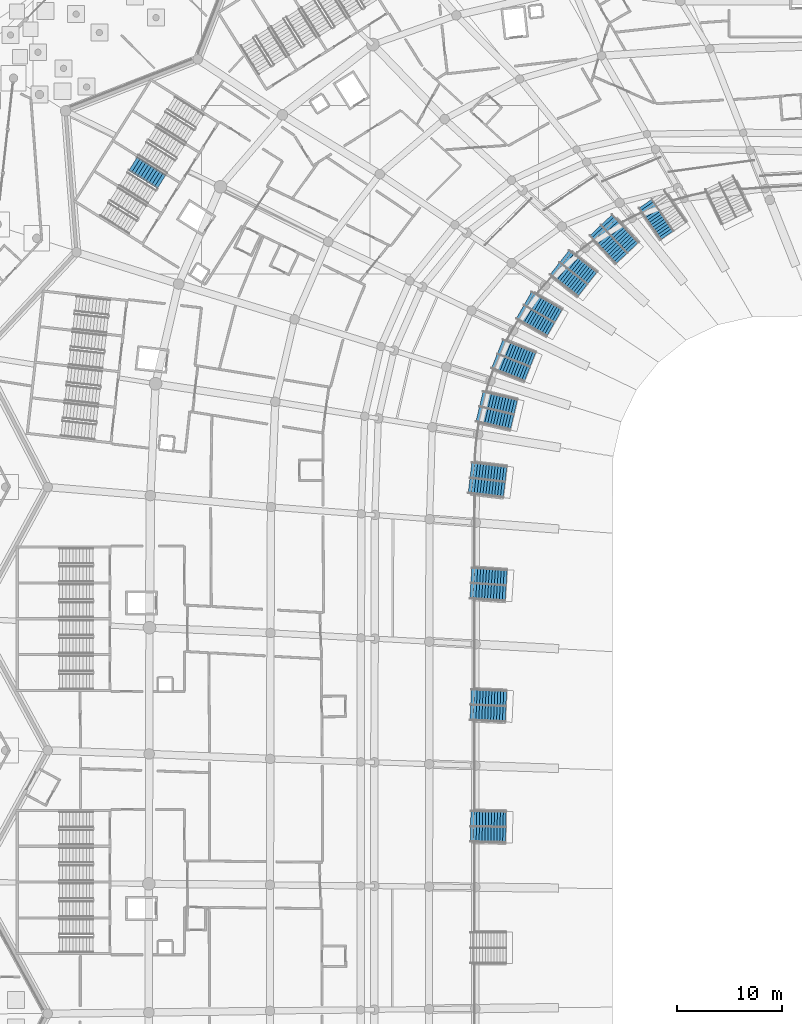
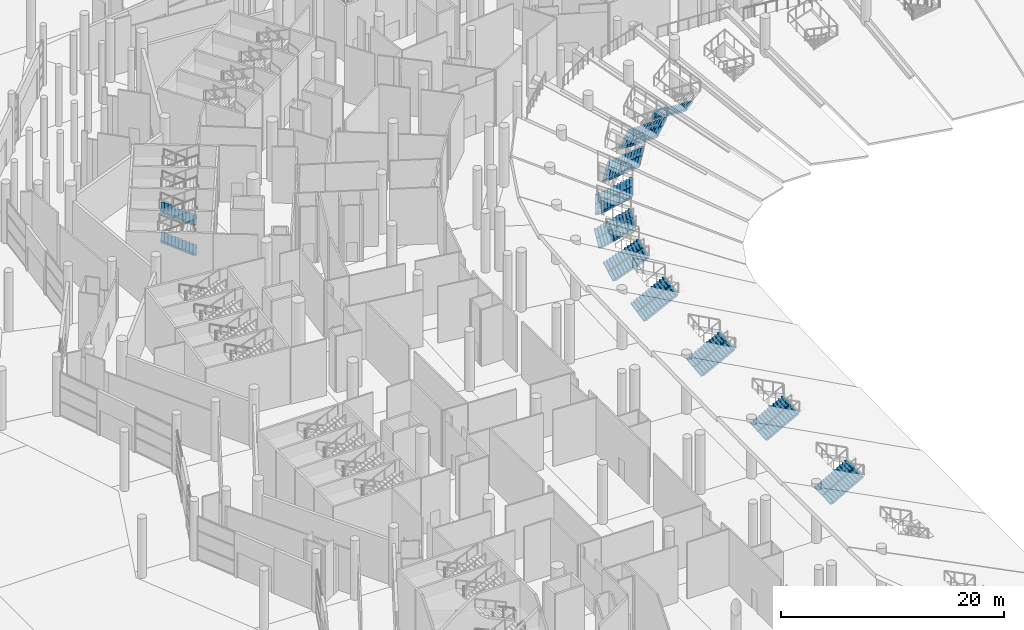
# One storey, part 173 of 255: 21 stair flights, 11 elements without a shape of their own.
"""IFC4 building model written with IfcOpenShell, lengths in metres."""

from ifc_helpers import new_model, si_unit, direction, frame, origin, place, context, subcontext, project, spatial, polyline, outline, extrude, material, type_object, element, aggregate, save


model = new_model("IFC4")

# Units and contexts
model_context = context("Model", 3, precision=1e-05, world=origin(), true_north=direction((0.0, 1.0)))
body_context = subcontext(model_context, "Body", "Model", "MODEL_VIEW")
ifc_project = project(units=[si_unit("LENGTHUNIT", "METRE"), si_unit("AREAUNIT", "SQUARE_METRE"), si_unit("VOLUMEUNIT", "CUBIC_METRE"), si_unit("PLANEANGLEUNIT", "RADIAN"), si_unit("MASSUNIT", "GRAM", prefix="KILO")], contexts=[model_context])

# Site, building, storey
site_placement = place(None, origin())
site = spatial("IfcSite", under=ifc_project, at=site_placement, CompositionType="ELEMENT")
building_placement = place(site_placement, origin())
building = spatial("IfcBuilding", under=site, at=building_placement, Name="Meseta Stadium", CompositionType="ELEMENT")
storey_placement = place(building_placement, origin())
storey = spatial("IfcBuildingStorey", under=building, at=storey_placement, Name="L00", CompositionType="ELEMENT", Elevation=0.0)

# Stair, stair flights
ifc_material_1 = material(Name="Concrete C40/50", Category="concrete")
stair_type_1 = type_object("IfcStairType", Name="Exit stair 4 flights 148 mm risers", PredefinedType="HALF_TURN_STAIR", material=ifc_material_1)
stair_1_placement = place(storey_placement, origin())
stair_1 = element("IfcStair", 1, at=stair_1_placement, inside=storey, type_object=stair_type_1, Name="ST55 L00", PredefinedType="HALF_TURN_STAIR")
ifc_material_2 = material(Name="Concrete C40/50", Category="concrete")
stair_flight_type_1 = type_object("IfcStairFlightType", Name="Exit stair flight 148 mm risers, 4 per storey", PredefinedType="STRAIGHT", material=ifc_material_2)
stair_flight_1_placement = place(storey_placement, frame((-83.792724609375, 72.742919921875, 0.0), z_axis=(0.0, 0.0, 1.0), x_axis=(-0.846724200555, 0.532032074404, 0.0)))
stair_flight_1 = element("IfcStairFlight", 2, at=stair_flight_1_placement, type_object=stair_flight_type_1, Name="ST55 L00 flight 1", NumberOfRisers=11, NumberOfTreads=10, PredefinedType="STRAIGHT", RiserHeight=0.147727273, TreadLength=0.32, context=body_context, shape_type="SweptSolid", body=[
    extrude(outline(polyline([(0.0, 0.0), (0.0, 0.147705078125), (0.320068359375, 0.147705078125), (0.320068359375, 0.29541015625), (0.639892578125, 0.29541015625), (0.639892578125, 0.443115234375), (0.9599609375, 0.443115234375), (0.9599609375, 0.5908203125), (1.280029296875, 0.5908203125), (1.280029296875, 0.738525390625), (1.60009765625, 0.738525390625), (1.60009765625, 0.886474609375), (1.919921875, 0.886474609375), (1.919921875, 1.0341796875), (2.239990234375, 1.0341796875), (2.239990234375, 1.181884765625), (2.56005859375, 1.181884765625), (2.56005859375, 1.32958984375), (2.8798828125, 1.32958984375), (2.8798828125, 1.477294921875), (3.199951171875, 1.477294921875), (3.199951171875, 1.312255859375), (0.357666015625, 0.0), (0.0, 0.0)])), frame((0.0, 0.75, 0.0), z_axis=(0.0, -1.0, 0.0), x_axis=(1.0, 0.0, 0.0)), (0.0, 0.0, 1.0), 1.5),
])
stair_flight_2_placement = place(storey_placement, frame((-83.792724609375, 72.742919921875, 3.25), z_axis=(0.0, 0.0, 1.0), x_axis=(-0.846724200555, 0.532032074404, 0.0)))
stair_flight_2 = element("IfcStairFlight", 3, at=stair_flight_2_placement, type_object=stair_flight_type_1, Name="ST55 L00 flight 3", NumberOfRisers=11, NumberOfTreads=10, PredefinedType="STRAIGHT", RiserHeight=0.147727273, TreadLength=0.32, context=body_context, shape_type="SweptSolid", body=[
    extrude(outline(polyline([(0.0, 0.0), (0.0, 0.147705078125), (0.320068359375, 0.147705078125), (0.320068359375, 0.29541015625), (0.639892578125, 0.29541015625), (0.639892578125, 0.443115234375), (0.9599609375, 0.443115234375), (0.9599609375, 0.5908203125), (1.280029296875, 0.5908203125), (1.280029296875, 0.738525390625), (1.60009765625, 0.738525390625), (1.60009765625, 0.886474609375), (1.919921875, 0.886474609375), (1.919921875, 1.0341796875), (2.239990234375, 1.0341796875), (2.239990234375, 1.181884765625), (2.56005859375, 1.181884765625), (2.56005859375, 1.32958984375), (2.8798828125, 1.32958984375), (2.8798828125, 1.477294921875), (3.199951171875, 1.477294921875), (3.199951171875, 1.312255859375), (0.357666015625, 0.0), (0.0, 0.0)])), frame((0.0, 0.75, 0.0), z_axis=(0.0, -1.0, 0.0), x_axis=(1.0, 0.0, 0.0)), (0.0, 0.0, 1.0), 1.5),
])
aggregate(stair_1, [stair_flight_1, stair_flight_2])

# Stair, stair flight
ifc_material_3 = material(Name="Concrete C40/50", Category="concrete")
stair_type_2 = type_object("IfcStairType", Name="Vomitory stair 3000", PredefinedType="STRAIGHT_RUN_STAIR", material=ifc_material_3)
stair_2_placement = place(storey_placement, origin())
stair_2 = element("IfcStair", 4, at=stair_2_placement, inside=storey, type_object=stair_type_2, Name="Vomitory V-lower-23", PredefinedType="STRAIGHT_RUN_STAIR")
ifc_material_4 = material(Name="Concrete C40/50", Category="concrete")
stair_flight_type_2 = type_object("IfcStairFlightType", Name="Vomitory stair flight 1450", PredefinedType="STRAIGHT", material=ifc_material_4)
stair_flight_3_placement = place(storey_placement, frame((-37.889892578125, 70.636474609375, 0.0), z_axis=(0.0, 0.0, 1.0), x_axis=(0.567899772853, -0.82309771473, 0.0)))
stair_flight_3 = element("IfcStairFlight", 5, at=stair_flight_3_placement, type_object=stair_flight_type_2, Name="Vomitory V-lower-23 flight 2", NumberOfRisers=14, NumberOfTreads=13, PredefinedType="STRAIGHT", RiserHeight=0.163434, TreadLength=0.28, context=body_context, shape_type="SweptSolid", body=[
    extrude(outline(polyline([(0.0, 0.0), (0.0, 0.163330078125), (0.280029296875, 0.163330078125), (0.280029296875, 0.326904296875), (0.56005859375, 0.326904296875), (0.56005859375, 0.490234375), (0.840087890625, 0.490234375), (0.840087890625, 0.65380859375), (1.1201171875, 0.65380859375), (1.1201171875, 0.817138671875), (1.39990234375, 0.817138671875), (1.39990234375, 0.980712890625), (1.679931640625, 0.980712890625), (1.679931640625, 1.14404296875), (1.9599609375, 1.14404296875), (1.9599609375, 1.307373046875), (2.239990234375, 1.307373046875), (2.239990234375, 1.470947265625), (2.52001953125, 1.470947265625), (2.52001953125, 1.63427734375), (2.800048828125, 1.63427734375), (2.800048828125, 1.7978515625), (3.080078125, 1.7978515625), (3.080078125, 1.961181640625), (3.360107421875, 1.961181640625), (3.360107421875, 2.124755859375), (3.639892578125, 2.124755859375), (3.639892578125, 1.951171875), (0.29736328125, 0.0), (0.0, 0.0)])), frame((0.0, 0.72509765625, 0.0), z_axis=(0.0, -1.0, 0.0), x_axis=(1.0, 0.0, 0.0)), (0.0, 0.0, 1.0), 1.449951171875),
])
aggregate(stair_2, [stair_flight_3])

# Stair, stair flights
stair_3_placement = place(storey_placement, origin())
stair_3 = element("IfcStair", 6, at=stair_3_placement, inside=storey, type_object=stair_type_2, Name="Vomitory V-lower-24", PredefinedType="STRAIGHT_RUN_STAIR")
stair_flight_4_placement = place(storey_placement, frame((-41.502197265625, 69.167236328125, 0.0), z_axis=(0.0, 0.0, 1.0), x_axis=(0.686064733008, -0.72754050205, 0.0)))
stair_flight_4 = element("IfcStairFlight", 7, at=stair_flight_4_placement, type_object=stair_flight_type_2, Name="Vomitory V-lower-24 flight 1", NumberOfRisers=14, NumberOfTreads=13, PredefinedType="STRAIGHT", RiserHeight=0.163499, TreadLength=0.28, context=body_context, shape_type="SweptSolid", body=[
    extrude(outline(polyline([(0.0, 0.0), (0.0, 0.16357421875), (0.280029296875, 0.16357421875), (0.280029296875, 0.326904296875), (0.56005859375, 0.326904296875), (0.56005859375, 0.490478515625), (0.840087890625, 0.490478515625), (0.840087890625, 0.654052734375), (1.1201171875, 0.654052734375), (1.1201171875, 0.8173828125), (1.39990234375, 0.8173828125), (1.39990234375, 0.98095703125), (1.679931640625, 0.98095703125), (1.679931640625, 1.14453125), (1.9599609375, 1.14453125), (1.9599609375, 1.30810546875), (2.239990234375, 1.30810546875), (2.239990234375, 1.471435546875), (2.52001953125, 1.471435546875), (2.52001953125, 1.635009765625), (2.800048828125, 1.635009765625), (2.800048828125, 1.798583984375), (3.080078125, 1.798583984375), (3.080078125, 1.9619140625), (3.360107421875, 1.9619140625), (3.360107421875, 2.12548828125), (3.639892578125, 2.12548828125), (3.639892578125, 1.951904296875), (0.29736328125, 0.0), (0.0, 0.0)])), frame((0.0, 0.72509765625, 0.0), z_axis=(0.0, -1.0, 0.0), x_axis=(1.0, 0.0, 0.0)), (0.0, 0.0, 1.0), 1.449951171875),
])
stair_flight_5_placement = place(storey_placement, frame((-42.6298828125, 68.103759765625, 0.0), z_axis=(0.0, 0.0, 1.0), x_axis=(0.686064733008, -0.72754050205, 0.0)))
stair_flight_5 = element("IfcStairFlight", 8, at=stair_flight_5_placement, type_object=stair_flight_type_2, Name="Vomitory V-lower-24 flight 2", NumberOfRisers=14, NumberOfTreads=13, PredefinedType="STRAIGHT", RiserHeight=0.163499, TreadLength=0.28, context=body_context, shape_type="SweptSolid", body=[
    extrude(outline(polyline([(0.0, 0.0), (0.0, 0.16357421875), (0.280029296875, 0.16357421875), (0.280029296875, 0.326904296875), (0.56005859375, 0.326904296875), (0.56005859375, 0.490478515625), (0.840087890625, 0.490478515625), (0.840087890625, 0.654052734375), (1.1201171875, 0.654052734375), (1.1201171875, 0.8173828125), (1.39990234375, 0.8173828125), (1.39990234375, 0.98095703125), (1.679931640625, 0.98095703125), (1.679931640625, 1.14453125), (1.9599609375, 1.14453125), (1.9599609375, 1.30810546875), (2.239990234375, 1.30810546875), (2.239990234375, 1.471435546875), (2.52001953125, 1.471435546875), (2.52001953125, 1.635009765625), (2.800048828125, 1.635009765625), (2.800048828125, 1.798583984375), (3.080078125, 1.798583984375), (3.080078125, 1.9619140625), (3.360107421875, 1.9619140625), (3.360107421875, 2.12548828125), (3.639892578125, 2.12548828125), (3.639892578125, 1.951904296875), (0.29736328125, 0.0), (0.0, 0.0)])), frame((0.0, 0.72509765625, 0.0), z_axis=(0.0, -1.0, 0.0), x_axis=(1.0, 0.0, 0.0)), (0.0, 0.0, 1.0), 1.449951171875),
])
aggregate(stair_3, [stair_flight_4, stair_flight_5])

stair_4_placement = place(storey_placement, origin())
stair_4 = element("IfcStair", 9, at=stair_4_placement, inside=storey, type_object=stair_type_2, Name="Vomitory V-lower-25", PredefinedType="STRAIGHT_RUN_STAIR")
stair_flight_6_placement = place(storey_placement, frame((-45.523193359375, 65.698486328125, 0.0), z_axis=(0.0, 0.0, 1.0), x_axis=(0.786141751877, -0.618046232862, 0.0)))
stair_flight_6 = element("IfcStairFlight", 10, at=stair_flight_6_placement, type_object=stair_flight_type_2, Name="Vomitory V-lower-25 flight 1", NumberOfRisers=13, NumberOfTreads=12, PredefinedType="STRAIGHT", RiserHeight=0.172209, TreadLength=0.28, context=body_context, shape_type="SweptSolid", body=[
    extrude(outline(polyline([(0.0, 0.0), (0.0, 0.172119140625), (0.280029296875, 0.172119140625), (0.280029296875, 0.344482421875), (0.56005859375, 0.344482421875), (0.56005859375, 0.5166015625), (0.840087890625, 0.5166015625), (0.840087890625, 0.688720703125), (1.1201171875, 0.688720703125), (1.1201171875, 0.861083984375), (1.39990234375, 0.861083984375), (1.39990234375, 1.033203125), (1.679931640625, 1.033203125), (1.679931640625, 1.20556640625), (1.9599609375, 1.20556640625), (1.9599609375, 1.377685546875), (2.239990234375, 1.377685546875), (2.239990234375, 1.5498046875), (2.52001953125, 1.5498046875), (2.52001953125, 1.72216796875), (2.800048828125, 1.72216796875), (2.800048828125, 1.894287109375), (3.080078125, 1.894287109375), (3.080078125, 2.06640625), (3.360107421875, 2.06640625), (3.360107421875, 1.890625), (0.2861328125, 0.0), (0.0, 0.0)])), frame((0.0, 0.72509765625, 0.0), z_axis=(0.0, -1.0, 0.0), x_axis=(1.0, 0.0, 0.0)), (0.0, 0.0, 1.0), 1.449951171875),
])
stair_flight_7_placement = place(storey_placement, frame((-46.481201171875, 64.47998046875, 0.0), z_axis=(0.0, 0.0, 1.0), x_axis=(0.786141751877, -0.618046232862, 0.0)))
stair_flight_7 = element("IfcStairFlight", 11, at=stair_flight_7_placement, type_object=stair_flight_type_2, Name="Vomitory V-lower-25 flight 2", NumberOfRisers=13, NumberOfTreads=12, PredefinedType="STRAIGHT", RiserHeight=0.172209, TreadLength=0.28, context=body_context, shape_type="SweptSolid", body=[
    extrude(outline(polyline([(0.0, 0.0), (0.0, 0.172119140625), (0.280029296875, 0.172119140625), (0.280029296875, 0.344482421875), (0.56005859375, 0.344482421875), (0.56005859375, 0.5166015625), (0.840087890625, 0.5166015625), (0.840087890625, 0.688720703125), (1.1201171875, 0.688720703125), (1.1201171875, 0.861083984375), (1.39990234375, 0.861083984375), (1.39990234375, 1.033203125), (1.679931640625, 1.033203125), (1.679931640625, 1.20556640625), (1.9599609375, 1.20556640625), (1.9599609375, 1.377685546875), (2.239990234375, 1.377685546875), (2.239990234375, 1.5498046875), (2.52001953125, 1.5498046875), (2.52001953125, 1.72216796875), (2.800048828125, 1.72216796875), (2.800048828125, 1.894287109375), (3.080078125, 1.894287109375), (3.080078125, 2.06640625), (3.360107421875, 2.06640625), (3.360107421875, 1.890625), (0.2861328125, 0.0), (0.0, 0.0)])), frame((0.0, 0.72509765625, 0.0), z_axis=(0.0, -1.0, 0.0), x_axis=(1.0, 0.0, 0.0)), (0.0, 0.0, 1.0), 1.449951171875),
])
aggregate(stair_4, [stair_flight_6, stair_flight_7])

stair_5_placement = place(storey_placement, origin())
stair_5 = element("IfcStair", 12, at=stair_5_placement, inside=storey, type_object=stair_type_2, Name="Vomitory V-lower-26", PredefinedType="STRAIGHT_RUN_STAIR")
stair_flight_8_placement = place(storey_placement, frame((-49.007080078125, 61.699951171875, 0.0), z_axis=(0.0, 0.0, 1.0), x_axis=(0.867711670531, -0.497067859376, 0.0)))
stair_flight_8 = element("IfcStairFlight", 13, at=stair_flight_8_placement, type_object=stair_flight_type_2, Name="Vomitory V-lower-26 flight 1", NumberOfRisers=13, NumberOfTreads=12, PredefinedType="STRAIGHT", RiserHeight=0.168326, TreadLength=0.28, context=body_context, shape_type="SweptSolid", body=[
    extrude(outline(polyline([(0.0, 0.0), (0.0, 0.168212890625), (0.280029296875, 0.168212890625), (0.280029296875, 0.336669921875), (0.56005859375, 0.336669921875), (0.56005859375, 0.5048828125), (0.840087890625, 0.5048828125), (0.840087890625, 0.67333984375), (1.1201171875, 0.67333984375), (1.1201171875, 0.841552734375), (1.39990234375, 0.841552734375), (1.39990234375, 1.010009765625), (1.679931640625, 1.010009765625), (1.679931640625, 1.17822265625), (1.9599609375, 1.17822265625), (1.9599609375, 1.3466796875), (2.239990234375, 1.3466796875), (2.239990234375, 1.514892578125), (2.52001953125, 1.514892578125), (2.52001953125, 1.683349609375), (2.800048828125, 1.683349609375), (2.800048828125, 1.8515625), (3.080078125, 1.8515625), (3.080078125, 2.02001953125), (3.360107421875, 2.02001953125), (3.360107421875, 1.844970703125), (0.291015625, 0.0), (0.0, 0.0)])), frame((0.0, 0.72509765625, 0.0), z_axis=(0.0, -1.0, 0.0), x_axis=(1.0, 0.0, 0.0)), (0.0, 0.0, 1.0), 1.449951171875),
])
stair_flight_9_placement = place(storey_placement, frame((-49.777587890625, 60.35498046875, 0.0), z_axis=(0.0, 0.0, 1.0), x_axis=(0.867711670531, -0.497067859376, 0.0)))
stair_flight_9 = element("IfcStairFlight", 14, at=stair_flight_9_placement, type_object=stair_flight_type_2, Name="Vomitory V-lower-26 flight 2", NumberOfRisers=13, NumberOfTreads=12, PredefinedType="STRAIGHT", RiserHeight=0.168326, TreadLength=0.28, context=body_context, shape_type="SweptSolid", body=[
    extrude(outline(polyline([(0.0, 0.0), (0.0, 0.168212890625), (0.280029296875, 0.168212890625), (0.280029296875, 0.336669921875), (0.56005859375, 0.336669921875), (0.56005859375, 0.5048828125), (0.840087890625, 0.5048828125), (0.840087890625, 0.67333984375), (1.1201171875, 0.67333984375), (1.1201171875, 0.841552734375), (1.39990234375, 0.841552734375), (1.39990234375, 1.010009765625), (1.679931640625, 1.010009765625), (1.679931640625, 1.17822265625), (1.9599609375, 1.17822265625), (1.9599609375, 1.3466796875), (2.239990234375, 1.3466796875), (2.239990234375, 1.514892578125), (2.52001953125, 1.514892578125), (2.52001953125, 1.683349609375), (2.800048828125, 1.683349609375), (2.800048828125, 1.8515625), (3.080078125, 1.8515625), (3.080078125, 2.02001953125), (3.360107421875, 2.02001953125), (3.360107421875, 1.844970703125), (0.291015625, 0.0), (0.0, 0.0)])), frame((0.0, 0.72509765625, 0.0), z_axis=(0.0, -1.0, 0.0), x_axis=(1.0, 0.0, 0.0)), (0.0, 0.0, 1.0), 1.449951171875),
])
aggregate(stair_5, [stair_flight_8, stair_flight_9])

stair_6_placement = place(storey_placement, origin())
stair_6 = element("IfcStair", 15, at=stair_6_placement, inside=storey, type_object=stair_type_2, Name="Vomitory V-lower-27", PredefinedType="STRAIGHT_RUN_STAIR")
stair_flight_10_placement = place(storey_placement, frame((-51.640625, 57.12060546875, 0.0), z_axis=(0.0, 0.0, 1.0), x_axis=(0.930263326339, -0.366892550576, 0.0)))
stair_flight_10 = element("IfcStairFlight", 16, at=stair_flight_10_placement, type_object=stair_flight_type_2, Name="Vomitory V-lower-27 flight 1", NumberOfRisers=13, NumberOfTreads=12, PredefinedType="STRAIGHT", RiserHeight=0.164429, TreadLength=0.28, context=body_context, shape_type="SweptSolid", body=[
    extrude(outline(polyline([(0.0, 0.0), (0.0, 0.16455078125), (0.280029296875, 0.16455078125), (0.280029296875, 0.328857421875), (0.56005859375, 0.328857421875), (0.56005859375, 0.493408203125), (0.840087890625, 0.493408203125), (0.840087890625, 0.65771484375), (1.1201171875, 0.65771484375), (1.1201171875, 0.822265625), (1.39990234375, 0.822265625), (1.39990234375, 0.986572265625), (1.679931640625, 0.986572265625), (1.679931640625, 1.151123046875), (1.9599609375, 1.151123046875), (1.9599609375, 1.3154296875), (2.239990234375, 1.3154296875), (2.239990234375, 1.47998046875), (2.52001953125, 1.47998046875), (2.52001953125, 1.644287109375), (2.800048828125, 1.644287109375), (2.800048828125, 1.808837890625), (3.080078125, 1.808837890625), (3.080078125, 1.97314453125), (3.360107421875, 1.97314453125), (3.360107421875, 1.79931640625), (0.296142578125, 0.0), (0.0, 0.0)])), frame((0.0, 0.72509765625, 0.0), z_axis=(0.0, -1.0, 0.0), x_axis=(1.0, 0.0, 0.0)), (0.0, 0.0, 1.0), 1.449951171875),
])
stair_flight_11_placement = place(storey_placement, frame((-52.209228515625, 55.6787109375, 0.0), z_axis=(0.0, 0.0, 1.0), x_axis=(0.930263326339, -0.366892550576, 0.0)))
stair_flight_11 = element("IfcStairFlight", 17, at=stair_flight_11_placement, type_object=stair_flight_type_2, Name="Vomitory V-lower-27 flight 2", NumberOfRisers=13, NumberOfTreads=12, PredefinedType="STRAIGHT", RiserHeight=0.164429, TreadLength=0.28, context=body_context, shape_type="SweptSolid", body=[
    extrude(outline(polyline([(0.0, 0.0), (0.0, 0.16455078125), (0.280029296875, 0.16455078125), (0.280029296875, 0.328857421875), (0.56005859375, 0.328857421875), (0.56005859375, 0.493408203125), (0.840087890625, 0.493408203125), (0.840087890625, 0.65771484375), (1.1201171875, 0.65771484375), (1.1201171875, 0.822265625), (1.39990234375, 0.822265625), (1.39990234375, 0.986572265625), (1.679931640625, 0.986572265625), (1.679931640625, 1.151123046875), (1.9599609375, 1.151123046875), (1.9599609375, 1.3154296875), (2.239990234375, 1.3154296875), (2.239990234375, 1.47998046875), (2.52001953125, 1.47998046875), (2.52001953125, 1.644287109375), (2.800048828125, 1.644287109375), (2.800048828125, 1.808837890625), (3.080078125, 1.808837890625), (3.080078125, 1.97314453125), (3.360107421875, 1.97314453125), (3.360107421875, 1.79931640625), (0.296142578125, 0.0), (0.0, 0.0)])), frame((0.0, 0.72509765625, 0.0), z_axis=(0.0, -1.0, 0.0), x_axis=(1.0, 0.0, 0.0)), (0.0, 0.0, 1.0), 1.449951171875),
])
aggregate(stair_6, [stair_flight_10, stair_flight_11])

stair_7_placement = place(storey_placement, origin())
stair_7 = element("IfcStair", 18, at=stair_7_placement, inside=storey, type_object=stair_type_2, Name="Vomitory V-lower-28", PredefinedType="STRAIGHT_RUN_STAIR")
stair_flight_12_placement = place(storey_placement, frame((-53.428466796875, 52.15673828125, 0.0), z_axis=(0.0, 0.0, 1.0), x_axis=(0.973256309483, -0.229721910255, 0.0)))
stair_flight_12 = element("IfcStairFlight", 19, at=stair_flight_12_placement, type_object=stair_flight_type_2, Name="Vomitory V-lower-28 flight 1", NumberOfRisers=13, NumberOfTreads=12, PredefinedType="STRAIGHT", RiserHeight=0.164433, TreadLength=0.28, context=body_context, shape_type="SweptSolid", body=[
    extrude(outline(polyline([(0.0, 0.0), (0.0, 0.16455078125), (0.280029296875, 0.16455078125), (0.280029296875, 0.328857421875), (0.56005859375, 0.328857421875), (0.56005859375, 0.493408203125), (0.840087890625, 0.493408203125), (0.840087890625, 0.65771484375), (1.1201171875, 0.65771484375), (1.1201171875, 0.822265625), (1.39990234375, 0.822265625), (1.39990234375, 0.986572265625), (1.679931640625, 0.986572265625), (1.679931640625, 1.151123046875), (1.9599609375, 1.151123046875), (1.9599609375, 1.3154296875), (2.239990234375, 1.3154296875), (2.239990234375, 1.47998046875), (2.52001953125, 1.47998046875), (2.52001953125, 1.644287109375), (2.800048828125, 1.644287109375), (2.800048828125, 1.808837890625), (3.080078125, 1.808837890625), (3.080078125, 1.97314453125), (3.360107421875, 1.97314453125), (3.360107421875, 1.79931640625), (0.2958984375, 0.0), (0.0, 0.0)])), frame((0.0, 0.72509765625, 0.0), z_axis=(0.0, -1.0, 0.0), x_axis=(1.0, 0.0, 0.0)), (0.0, 0.0, 1.0), 1.449951171875),
])
stair_flight_13_placement = place(storey_placement, frame((-53.78466796875, 50.648193359375, 0.0), z_axis=(0.0, 0.0, 1.0), x_axis=(0.973256309483, -0.229721910255, 0.0)))
stair_flight_13 = element("IfcStairFlight", 20, at=stair_flight_13_placement, type_object=stair_flight_type_2, Name="Vomitory V-lower-28 flight 2", NumberOfRisers=13, NumberOfTreads=12, PredefinedType="STRAIGHT", RiserHeight=0.164433, TreadLength=0.28, context=body_context, shape_type="SweptSolid", body=[
    extrude(outline(polyline([(0.0, 0.0), (0.0, 0.16455078125), (0.280029296875, 0.16455078125), (0.280029296875, 0.328857421875), (0.56005859375, 0.328857421875), (0.56005859375, 0.493408203125), (0.840087890625, 0.493408203125), (0.840087890625, 0.65771484375), (1.1201171875, 0.65771484375), (1.1201171875, 0.822265625), (1.39990234375, 0.822265625), (1.39990234375, 0.986572265625), (1.679931640625, 0.986572265625), (1.679931640625, 1.151123046875), (1.9599609375, 1.151123046875), (1.9599609375, 1.3154296875), (2.239990234375, 1.3154296875), (2.239990234375, 1.47998046875), (2.52001953125, 1.47998046875), (2.52001953125, 1.644287109375), (2.800048828125, 1.644287109375), (2.800048828125, 1.808837890625), (3.080078125, 1.808837890625), (3.080078125, 1.97314453125), (3.360107421875, 1.97314453125), (3.360107421875, 1.79931640625), (0.2958984375, 0.0), (0.0, 0.0)])), frame((0.0, 0.72509765625, 0.0), z_axis=(0.0, -1.0, 0.0), x_axis=(1.0, 0.0, 0.0)), (0.0, 0.0, 1.0), 1.449951171875),
])
aggregate(stair_7, [stair_flight_12, stair_flight_13])

stair_8_placement = place(storey_placement, origin())
stair_8 = element("IfcStair", 21, at=stair_8_placement, inside=storey, type_object=stair_type_2, Name="Vomitory V-lower-29", PredefinedType="STRAIGHT_RUN_STAIR")
stair_flight_14_placement = place(storey_placement, frame((-54.417236328125, 45.40625, 0.0), z_axis=(0.0, 0.0, 1.0), x_axis=(0.993015017931, -0.117988025512, 0.0)))
stair_flight_14 = element("IfcStairFlight", 22, at=stair_flight_14_placement, type_object=stair_flight_type_2, Name="Vomitory V-lower-29 flight 1", NumberOfRisers=13, NumberOfTreads=12, PredefinedType="STRAIGHT", RiserHeight=0.172959, TreadLength=0.28, context=body_context, shape_type="SweptSolid", body=[
    extrude(outline(polyline([(0.0, 0.0), (0.0, 0.1728515625), (0.280029296875, 0.1728515625), (0.280029296875, 0.345947265625), (0.56005859375, 0.345947265625), (0.56005859375, 0.518798828125), (0.840087890625, 0.518798828125), (0.840087890625, 0.69189453125), (1.1201171875, 0.69189453125), (1.1201171875, 0.86474609375), (1.39990234375, 0.86474609375), (1.39990234375, 1.037841796875), (1.679931640625, 1.037841796875), (1.679931640625, 1.210693359375), (1.9599609375, 1.210693359375), (1.9599609375, 1.3837890625), (2.239990234375, 1.3837890625), (2.239990234375, 1.556640625), (2.52001953125, 1.556640625), (2.52001953125, 1.7294921875), (2.800048828125, 1.7294921875), (2.800048828125, 1.902587890625), (3.080078125, 1.902587890625), (3.080078125, 2.075439453125), (3.360107421875, 2.075439453125), (3.360107421875, 1.8994140625), (0.28515625, 0.0), (0.0, 0.0)])), frame((0.0, 0.72509765625, 0.0), z_axis=(0.0, -1.0, 0.0), x_axis=(1.0, 0.0, 0.0)), (0.0, 0.0, 1.0), 1.449951171875),
])
stair_flight_15_placement = place(storey_placement, frame((-54.60009765625, 43.8671875, 0.0), z_axis=(0.0, 0.0, 1.0), x_axis=(0.993015017931, -0.117988025512, 0.0)))
stair_flight_15 = element("IfcStairFlight", 23, at=stair_flight_15_placement, type_object=stair_flight_type_2, Name="Vomitory V-lower-29 flight 2", NumberOfRisers=13, NumberOfTreads=12, PredefinedType="STRAIGHT", RiserHeight=0.172959, TreadLength=0.28, context=body_context, shape_type="SweptSolid", body=[
    extrude(outline(polyline([(0.0, 0.0), (0.0, 0.1728515625), (0.280029296875, 0.1728515625), (0.280029296875, 0.345947265625), (0.56005859375, 0.345947265625), (0.56005859375, 0.518798828125), (0.840087890625, 0.518798828125), (0.840087890625, 0.69189453125), (1.1201171875, 0.69189453125), (1.1201171875, 0.86474609375), (1.39990234375, 0.86474609375), (1.39990234375, 1.037841796875), (1.679931640625, 1.037841796875), (1.679931640625, 1.210693359375), (1.9599609375, 1.210693359375), (1.9599609375, 1.3837890625), (2.239990234375, 1.3837890625), (2.239990234375, 1.556640625), (2.52001953125, 1.556640625), (2.52001953125, 1.7294921875), (2.800048828125, 1.7294921875), (2.800048828125, 1.902587890625), (3.080078125, 1.902587890625), (3.080078125, 2.075439453125), (3.360107421875, 2.075439453125), (3.360107421875, 1.8994140625), (0.28515625, 0.0), (0.0, 0.0)])), frame((0.0, 0.72509765625, 0.0), z_axis=(0.0, -1.0, 0.0), x_axis=(1.0, 0.0, 0.0)), (0.0, 0.0, 1.0), 1.449951171875),
])
aggregate(stair_8, [stair_flight_14, stair_flight_15])

stair_9_placement = place(storey_placement, origin())
stair_9 = element("IfcStair", 24, at=stair_9_placement, inside=storey, type_object=stair_type_2, Name="Vomitory V-lower-30", PredefinedType="STRAIGHT_RUN_STAIR")
stair_flight_16_placement = place(storey_placement, frame((-54.37939453125, 35.40673828125, 0.0), z_axis=(0.0, 0.0, 1.0), x_axis=(0.997842912451, -0.065646950207, 0.0)))
stair_flight_16 = element("IfcStairFlight", 25, at=stair_flight_16_placement, type_object=stair_flight_type_2, Name="Vomitory V-lower-30 flight 1", NumberOfRisers=13, NumberOfTreads=12, PredefinedType="STRAIGHT", RiserHeight=0.165438, TreadLength=0.28, context=body_context, shape_type="SweptSolid", body=[
    extrude(outline(polyline([(0.0, 0.0), (0.0, 0.16552734375), (0.280029296875, 0.16552734375), (0.280029296875, 0.330810546875), (0.56005859375, 0.330810546875), (0.56005859375, 0.496337890625), (0.840087890625, 0.496337890625), (0.840087890625, 0.661865234375), (1.1201171875, 0.661865234375), (1.1201171875, 0.8271484375), (1.39990234375, 0.8271484375), (1.39990234375, 0.99267578125), (1.679931640625, 0.99267578125), (1.679931640625, 1.157958984375), (1.9599609375, 1.157958984375), (1.9599609375, 1.323486328125), (2.239990234375, 1.323486328125), (2.239990234375, 1.489013671875), (2.52001953125, 1.489013671875), (2.52001953125, 1.654296875), (2.800048828125, 1.654296875), (2.800048828125, 1.81982421875), (3.080078125, 1.81982421875), (3.080078125, 1.9853515625), (3.360107421875, 1.9853515625), (3.360107421875, 1.81103515625), (0.294677734375, 0.0), (0.0, 0.0)])), frame((0.0, 0.72509765625, 0.0), z_axis=(0.0, -1.0, 0.0), x_axis=(1.0, 0.0, 0.0)), (0.0, 0.0, 1.0), 1.449951171875),
])
stair_flight_17_placement = place(storey_placement, frame((-54.481201171875, 33.860107421875, 0.0), z_axis=(0.0, 0.0, 1.0), x_axis=(0.997842912451, -0.065646950207, 0.0)))
stair_flight_17 = element("IfcStairFlight", 26, at=stair_flight_17_placement, type_object=stair_flight_type_2, Name="Vomitory V-lower-30 flight 2", NumberOfRisers=13, NumberOfTreads=12, PredefinedType="STRAIGHT", RiserHeight=0.165438, TreadLength=0.28, context=body_context, shape_type="SweptSolid", body=[
    extrude(outline(polyline([(0.0, 0.0), (0.0, 0.16552734375), (0.280029296875, 0.16552734375), (0.280029296875, 0.330810546875), (0.56005859375, 0.330810546875), (0.56005859375, 0.496337890625), (0.840087890625, 0.496337890625), (0.840087890625, 0.661865234375), (1.1201171875, 0.661865234375), (1.1201171875, 0.8271484375), (1.39990234375, 0.8271484375), (1.39990234375, 0.99267578125), (1.679931640625, 0.99267578125), (1.679931640625, 1.157958984375), (1.9599609375, 1.157958984375), (1.9599609375, 1.323486328125), (2.239990234375, 1.323486328125), (2.239990234375, 1.489013671875), (2.52001953125, 1.489013671875), (2.52001953125, 1.654296875), (2.800048828125, 1.654296875), (2.800048828125, 1.81982421875), (3.080078125, 1.81982421875), (3.080078125, 1.9853515625), (3.360107421875, 1.9853515625), (3.360107421875, 1.81103515625), (0.294677734375, 0.0), (0.0, 0.0)])), frame((0.0, 0.72509765625, 0.0), z_axis=(0.0, -1.0, 0.0), x_axis=(1.0, 0.0, 0.0)), (0.0, 0.0, 1.0), 1.449951171875),
])
aggregate(stair_9, [stair_flight_16, stair_flight_17])

stair_10_placement = place(storey_placement, origin())
stair_10 = element("IfcStair", 27, at=stair_10_placement, inside=storey, type_object=stair_type_2, Name="Vomitory V-lower-31", PredefinedType="STRAIGHT_RUN_STAIR")
stair_flight_18_placement = place(storey_placement, frame((-54.41259765625, 23.864013671875, 0.0), z_axis=(0.0, 0.0, 1.0), x_axis=(0.999039522965, -0.043818164662, 0.0)))
stair_flight_18 = element("IfcStairFlight", 28, at=stair_flight_18_placement, type_object=stair_flight_type_2, Name="Vomitory V-lower-31 flight 1", NumberOfRisers=13, NumberOfTreads=12, PredefinedType="STRAIGHT", RiserHeight=0.165438, TreadLength=0.28, context=body_context, shape_type="SweptSolid", body=[
    extrude(outline(polyline([(0.0, 0.0), (0.0, 0.16552734375), (0.280029296875, 0.16552734375), (0.280029296875, 0.330810546875), (0.56005859375, 0.330810546875), (0.56005859375, 0.496337890625), (0.840087890625, 0.496337890625), (0.840087890625, 0.661865234375), (1.1201171875, 0.661865234375), (1.1201171875, 0.8271484375), (1.39990234375, 0.8271484375), (1.39990234375, 0.99267578125), (1.679931640625, 0.99267578125), (1.679931640625, 1.157958984375), (1.9599609375, 1.157958984375), (1.9599609375, 1.323486328125), (2.239990234375, 1.323486328125), (2.239990234375, 1.489013671875), (2.52001953125, 1.489013671875), (2.52001953125, 1.654296875), (2.800048828125, 1.654296875), (2.800048828125, 1.81982421875), (3.080078125, 1.81982421875), (3.080078125, 1.9853515625), (3.360107421875, 1.9853515625), (3.360107421875, 1.81103515625), (0.294677734375, 0.0), (0.0, 0.0)])), frame((0.0, 0.72509765625, 0.0), z_axis=(0.0, -1.0, 0.0), x_axis=(1.0, 0.0, 0.0)), (0.0, 0.0, 1.0), 1.449951171875),
])
stair_flight_19_placement = place(storey_placement, frame((-54.48046875, 22.3154296875, 0.0), z_axis=(0.0, 0.0, 1.0), x_axis=(0.999039522965, -0.043818164662, 0.0)))
stair_flight_19 = element("IfcStairFlight", 29, at=stair_flight_19_placement, type_object=stair_flight_type_2, Name="Vomitory V-lower-31 flight 2", NumberOfRisers=13, NumberOfTreads=12, PredefinedType="STRAIGHT", RiserHeight=0.165438, TreadLength=0.28, context=body_context, shape_type="SweptSolid", body=[
    extrude(outline(polyline([(0.0, 0.0), (0.0, 0.16552734375), (0.280029296875, 0.16552734375), (0.280029296875, 0.330810546875), (0.56005859375, 0.330810546875), (0.56005859375, 0.496337890625), (0.840087890625, 0.496337890625), (0.840087890625, 0.661865234375), (1.1201171875, 0.661865234375), (1.1201171875, 0.8271484375), (1.39990234375, 0.8271484375), (1.39990234375, 0.99267578125), (1.679931640625, 0.99267578125), (1.679931640625, 1.157958984375), (1.9599609375, 1.157958984375), (1.9599609375, 1.323486328125), (2.239990234375, 1.323486328125), (2.239990234375, 1.489013671875), (2.52001953125, 1.489013671875), (2.52001953125, 1.654296875), (2.800048828125, 1.654296875), (2.800048828125, 1.81982421875), (3.080078125, 1.81982421875), (3.080078125, 1.9853515625), (3.360107421875, 1.9853515625), (3.360107421875, 1.81103515625), (0.294677734375, 0.0), (0.0, 0.0)])), frame((0.0, 0.72509765625, 0.0), z_axis=(0.0, -1.0, 0.0), x_axis=(1.0, 0.0, 0.0)), (0.0, 0.0, 1.0), 1.449951171875),
])
aggregate(stair_10, [stair_flight_18, stair_flight_19])

stair_11_placement = place(storey_placement, origin())
stair_11 = element("IfcStair", 30, at=stair_11_placement, inside=storey, type_object=stair_type_2, Name="Vomitory V-lower-32", PredefinedType="STRAIGHT_RUN_STAIR")
stair_flight_20_placement = place(storey_placement, frame((-54.439208984375, 12.31982421875, 0.0), z_axis=(0.0, 0.0, 1.0), x_axis=(0.999759622364, -0.021924814479, 0.0)))
stair_flight_20 = element("IfcStairFlight", 31, at=stair_flight_20_placement, type_object=stair_flight_type_2, Name="Vomitory V-lower-32 flight 1", NumberOfRisers=13, NumberOfTreads=12, PredefinedType="STRAIGHT", RiserHeight=0.165438, TreadLength=0.28, context=body_context, shape_type="SweptSolid", body=[
    extrude(outline(polyline([(0.0, 0.0), (0.0, 0.16552734375), (0.280029296875, 0.16552734375), (0.280029296875, 0.330810546875), (0.56005859375, 0.330810546875), (0.56005859375, 0.496337890625), (0.840087890625, 0.496337890625), (0.840087890625, 0.661865234375), (1.1201171875, 0.661865234375), (1.1201171875, 0.8271484375), (1.39990234375, 0.8271484375), (1.39990234375, 0.99267578125), (1.679931640625, 0.99267578125), (1.679931640625, 1.157958984375), (1.9599609375, 1.157958984375), (1.9599609375, 1.323486328125), (2.239990234375, 1.323486328125), (2.239990234375, 1.489013671875), (2.52001953125, 1.489013671875), (2.52001953125, 1.654296875), (2.800048828125, 1.654296875), (2.800048828125, 1.81982421875), (3.080078125, 1.81982421875), (3.080078125, 1.9853515625), (3.360107421875, 1.9853515625), (3.360107421875, 1.81103515625), (0.294677734375, 0.0), (0.0, 0.0)])), frame((0.0, 0.72509765625, 0.0), z_axis=(0.0, -1.0, 0.0), x_axis=(1.0, 0.0, 0.0)), (0.0, 0.0, 1.0), 1.449951171875),
])
stair_flight_21_placement = place(storey_placement, frame((-54.47314453125, 10.770263671875, 0.0), z_axis=(0.0, 0.0, 1.0), x_axis=(0.999759622364, -0.021924814479, 0.0)))
stair_flight_21 = element("IfcStairFlight", 32, at=stair_flight_21_placement, type_object=stair_flight_type_2, Name="Vomitory V-lower-32 flight 2", NumberOfRisers=13, NumberOfTreads=12, PredefinedType="STRAIGHT", RiserHeight=0.165438, TreadLength=0.28, context=body_context, shape_type="SweptSolid", body=[
    extrude(outline(polyline([(0.0, 0.0), (0.0, 0.16552734375), (0.280029296875, 0.16552734375), (0.280029296875, 0.330810546875), (0.56005859375, 0.330810546875), (0.56005859375, 0.496337890625), (0.840087890625, 0.496337890625), (0.840087890625, 0.661865234375), (1.1201171875, 0.661865234375), (1.1201171875, 0.8271484375), (1.39990234375, 0.8271484375), (1.39990234375, 0.99267578125), (1.679931640625, 0.99267578125), (1.679931640625, 1.157958984375), (1.9599609375, 1.157958984375), (1.9599609375, 1.323486328125), (2.239990234375, 1.323486328125), (2.239990234375, 1.489013671875), (2.52001953125, 1.489013671875), (2.52001953125, 1.654296875), (2.800048828125, 1.654296875), (2.800048828125, 1.81982421875), (3.080078125, 1.81982421875), (3.080078125, 1.9853515625), (3.360107421875, 1.9853515625), (3.360107421875, 1.81103515625), (0.294677734375, 0.0), (0.0, 0.0)])), frame((0.0, 0.72509765625, 0.0), z_axis=(0.0, -1.0, 0.0), x_axis=(1.0, 0.0, 0.0)), (0.0, 0.0, 1.0), 1.449951171875),
])
aggregate(stair_11, [stair_flight_20, stair_flight_21])

save(model, "model.ifc")
